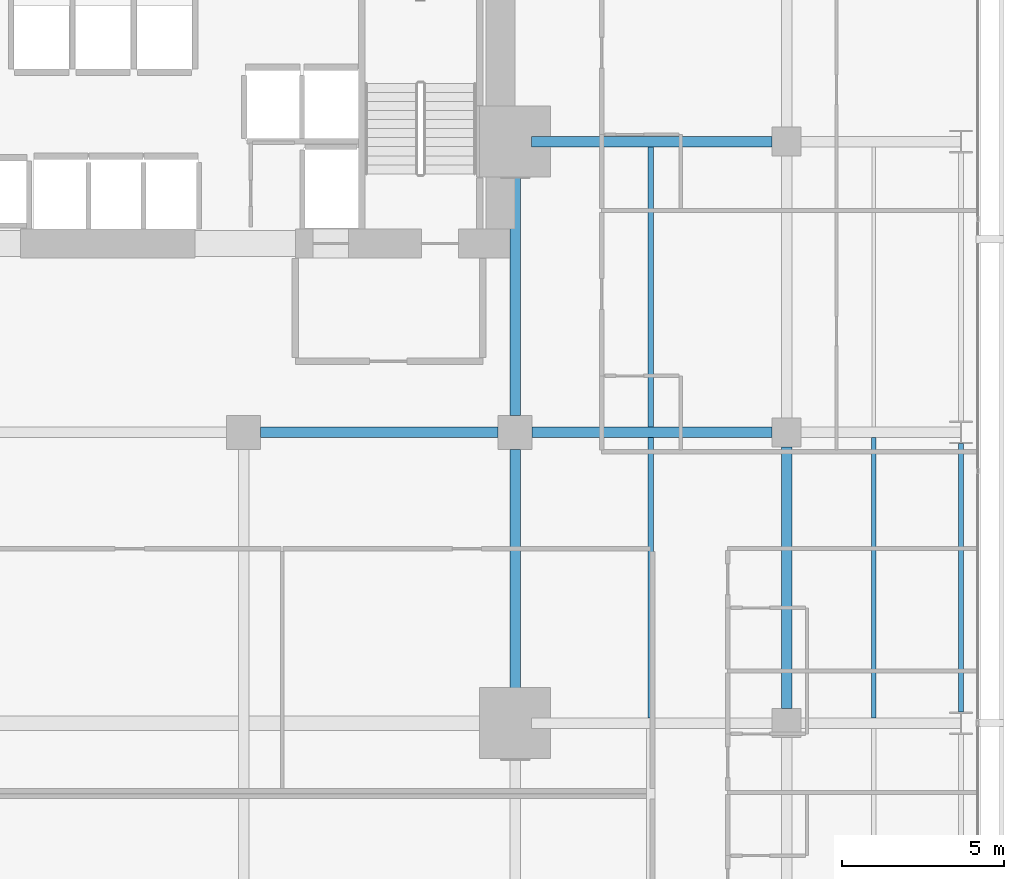
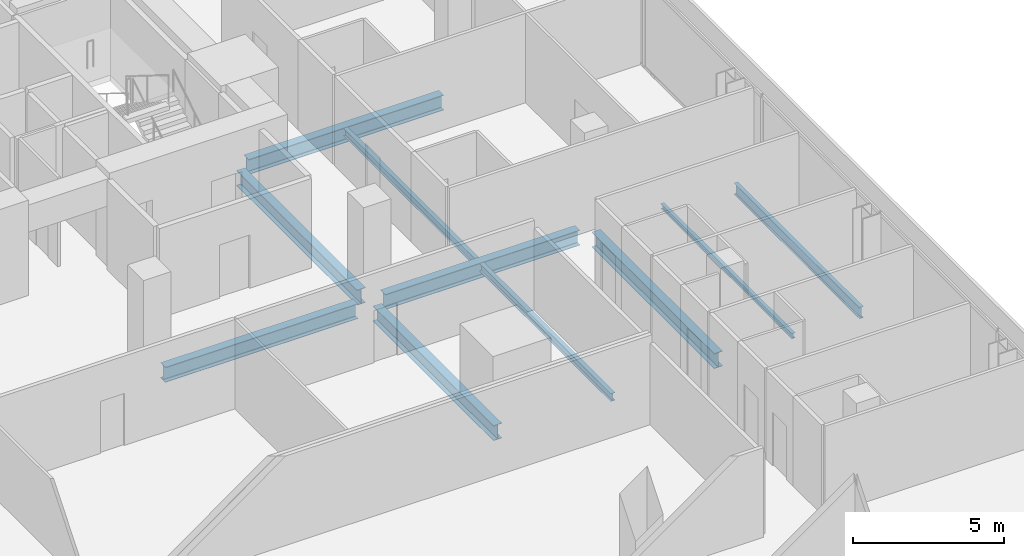
# One storey, part 27 of 40: 10 beams.
"""IFC4 building model written with IfcOpenShell, lengths in metres."""

from ifc_helpers import new_model, si_unit, direction, frame, origin, origin_2d, place, context, subcontext, project, spatial, i_section, extrude, material, material_profile, profile_set, type_object, element, save


model = new_model("IFC4")

# Units and contexts
model_context = context("Model", 3, precision=1e-05, world=origin(), true_north=direction((0.0, 1.0)))
body_context = subcontext(model_context, "Body", "Model", "MODEL_VIEW")
ifc_project = project(units=[si_unit("LENGTHUNIT", "METRE"), si_unit("AREAUNIT", "SQUARE_METRE"), si_unit("VOLUMEUNIT", "CUBIC_METRE"), si_unit("PLANEANGLEUNIT", "RADIAN"), si_unit("MASSUNIT", "GRAM", prefix="KILO")], contexts=[model_context])

# Site, building, storey
site_placement = place(None, origin())
site = spatial("IfcSite", under=ifc_project, at=site_placement, CompositionType="ELEMENT")
building_placement = place(site_placement, origin())
building = spatial("IfcBuilding", under=site, at=building_placement, Name="Maruvema Waterfront Hotel and Observation Tower", CompositionType="ELEMENT")
storey_placement = place(building_placement, frame((0.0, 0.0, 103.949951171875)))
storey = spatial("IfcBuildingStorey", under=building, at=storey_placement, Name="L25", CompositionType="ELEMENT", Elevation=103.949951171875)

# Beams
ifc_material_1 = material(Name="Steel ASTM A572 Grade 50", Category="steel")
ifc_material_profile_1 = material_profile(ifc_material_1, i_section(OverallWidth=0.153076171875, OverallDepth=0.455078125, WebThickness=0.008056640625, FlangeThickness=0.01318359375, FilletRadius=0.014892578125, at=origin_2d()), Name="W460x60.0")
ifc_profile_set_1 = profile_set([ifc_material_profile_1], Name="Steel ASTM A572 Grade 50")
beam_type_1 = type_object("IfcBeamType", Name="Perimeter Spandrel Beam W460x60.0", PredefinedType="SPANDREL", material=ifc_profile_set_1)
beam_1_placement = place(storey_placement, frame((64.199951171875, 27.35009765625, -0.467529296875), z_axis=(0.0, 1.0, 0.0), x_axis=(-1.0, 0.0, 0.0)))
element("IfcBeam", 1, at=beam_1_placement, inside=storey, type_object=beam_type_1, Name="L25 Floor Girder NS-35", PredefinedType="SPANDREL", context=body_context, shape_type="SweptSolid", body=[
    extrude(i_section(OverallWidth=0.153076171875, OverallDepth=0.455078125, WebThickness=0.008056640625, FlangeThickness=0.01318359375, FilletRadius=0.014892578125, at=origin_2d()), origin(), (0.0, 0.0, 1.0), 8.2998046875),
])
ifc_material_2 = material(Name="Steel ASTM A572 Grade 50", Category="steel")
ifc_material_profile_2 = material_profile(ifc_material_2, i_section(OverallWidth=0.323974609375, OverallDepth=0.611083984375, WebThickness=0.0126953125, FlangeThickness=0.01904296875, FilletRadius=0.01806640625, at=origin_2d()), Name="W610x155.0")
ifc_profile_set_2 = profile_set([ifc_material_profile_2], Name="Steel ASTM A572 Grade 50")
beam_type_2 = type_object("IfcBeamType", Name="Primary Floor Girder W610x155.0", PredefinedType="BEAM", material=ifc_profile_set_2)
beam_2_placement = place(storey_placement, frame((42.52490234375, 36.0, -0.54541015625), z_axis=(1.0, 0.0, 0.0), x_axis=(0.0, 1.0, 0.0)))
element("IfcBeam", 2, at=beam_2_placement, inside=storey, type_object=beam_type_2, Name="L25 Floor Girder EW-29", PredefinedType="BEAM", context=body_context, shape_type="SweptSolid", body=[
    extrude(i_section(OverallWidth=0.323974609375, OverallDepth=0.611083984375, WebThickness=0.0126953125, FlangeThickness=0.01904296875, FilletRadius=0.01806640625, at=origin_2d()), origin(), (0.0, 0.0, 1.0), 7.35009765625),
])
beam_3_placement = place(storey_placement, frame((50.925048828125, 36.0, -0.54541015625), z_axis=(1.0, 0.0, 0.0), x_axis=(0.0, 1.0, 0.0)))
element("IfcBeam", 3, at=beam_3_placement, inside=storey, type_object=beam_type_2, Name="L25 Floor Girder EW-30", PredefinedType="BEAM", context=body_context, shape_type="SweptSolid", body=[
    extrude(i_section(OverallWidth=0.323974609375, OverallDepth=0.611083984375, WebThickness=0.0126953125, FlangeThickness=0.01904296875, FilletRadius=0.01806640625, at=origin_2d()), origin(), (0.0, 0.0, 1.0), 7.425048828125),
])
beam_4_placement = place(storey_placement, frame((50.89990234375, 45.0, -0.54541015625), z_axis=(1.0, 0.0, 0.0), x_axis=(0.0, 1.0, 0.0)))
element("IfcBeam", 4, at=beam_4_placement, inside=storey, type_object=beam_type_2, Name="L25 Floor Girder EW-34", PredefinedType="BEAM", context=body_context, shape_type="SweptSolid", body=[
    extrude(i_section(OverallWidth=0.323974609375, OverallDepth=0.611083984375, WebThickness=0.0126953125, FlangeThickness=0.01904296875, FilletRadius=0.01806640625, at=origin_2d()), origin(), (0.0, 0.0, 1.0), 7.4501953125),
])
for number, where, z_axis, x_axis, name in (
    (5, (50.39990234375, 27.5, -0.54541015625), (0.0, 1.0, 0.0), (-1.0, 0.0, 0.0), "L25 Floor Girder NS-25"),
    (6, (50.39990234375, 36.52490234375, -0.54541015625), (0.0, 1.0, 0.0), (-1.0, 0.0, 0.0), "L25 Floor Girder NS-26"),
):
    element("IfcBeam", number, at=place(storey_placement, frame(where, z_axis=z_axis, x_axis=x_axis)), inside=storey, type_object=beam_type_2, Name=name, PredefinedType="BEAM", context=body_context, shape_type="SweptSolid", body=[
        extrude(i_section(OverallWidth=0.323974609375, OverallDepth=0.611083984375, WebThickness=0.0126953125, FlangeThickness=0.01904296875, FilletRadius=0.01806640625, at=origin_2d()), origin(), (0.0, 0.0, 1.0), 7.97509765625),
    ])
beam_5_placement = place(storey_placement, frame((58.800048828125, 27.449951171875, -0.54541015625), z_axis=(0.0, 1.0, 0.0), x_axis=(-1.0, 0.0, 0.0)))
element("IfcBeam", 7, at=beam_5_placement, inside=storey, type_object=beam_type_2, Name="L25 Floor Girder NS-30", PredefinedType="BEAM", context=body_context, shape_type="SweptSolid", body=[
    extrude(i_section(OverallWidth=0.323974609375, OverallDepth=0.611083984375, WebThickness=0.0126953125, FlangeThickness=0.01904296875, FilletRadius=0.01806640625, at=origin_2d()), origin(), (0.0, 0.0, 1.0), 8.10009765625),
])
ifc_material_3 = material(Name="Steel ASTM A572 Grade 50", Category="steel")
ifc_material_profile_3 = material_profile(ifc_material_3, i_section(OverallWidth=0.133056640625, OverallDepth=0.20703125, WebThickness=0.005859375, FlangeThickness=0.00830078125, FilletRadius=0.010009765625, at=origin_2d()), Name="W200x26.6")
ifc_profile_set_3 = profile_set([ifc_material_profile_3], Name="Steel ASTM A572 Grade 50")
beam_type_3 = type_object("IfcBeamType", Name="Secondary Floor Joist W200x26.6", PredefinedType="JOIST", material=ifc_profile_set_3)
beam_6_placement = place(storey_placement, frame((61.5, 27.162109375, -0.343505859375), z_axis=(0.0, 1.0, 0.0), x_axis=(-1.0, 0.0, 0.0)))
element("IfcBeam", 8, at=beam_6_placement, inside=storey, type_object=beam_type_3, Name="L25 Secondary Floor Joist JS-23", PredefinedType="JOIST", context=body_context, shape_type="SweptSolid", body=[
    extrude(i_section(OverallWidth=0.133056640625, OverallDepth=0.20703125, WebThickness=0.005859375, FlangeThickness=0.00830078125, FilletRadius=0.010009765625, at=origin_2d()), origin(), (0.0, 0.0, 1.0), 8.67578125),
])
ifc_material_4 = material(Name="Steel ASTM A572 Grade 50", Category="steel")
ifc_material_profile_4 = material_profile(ifc_material_4, i_section(OverallWidth=0.1650390625, OverallDepth=0.31005859375, WebThickness=0.005859375, FlangeThickness=0.009765625, FilletRadius=0.012939453125, at=origin_2d()), Name="W310x38.7")
ifc_profile_set_4 = profile_set([ifc_material_profile_4], Name="Steel ASTM A572 Grade 50")
beam_type_4 = type_object("IfcBeamType", Name="Secondary Floor Joist W310x38.7", PredefinedType="JOIST", material=ifc_profile_set_4)
beam_7_placement = place(storey_placement, frame((54.60009765625, 36.162109375, -0.39501953125), z_axis=(0.0, 1.0, 0.0), x_axis=(-1.0, 0.0, 0.0)))
element("IfcBeam", 9, at=beam_7_placement, inside=storey, type_object=beam_type_4, Name="L25 Secondary Floor Joist JS-20", PredefinedType="JOIST", context=body_context, shape_type="SweptSolid", body=[
    extrude(i_section(OverallWidth=0.1650390625, OverallDepth=0.31005859375, WebThickness=0.005859375, FlangeThickness=0.009765625, FilletRadius=0.012939453125, at=origin_2d()), origin(), (0.0, 0.0, 1.0), 8.67578125),
])
ifc_material_5 = material(Name="Steel ASTM A572 Grade 50", Category="steel")
ifc_material_profile_5 = material_profile(ifc_material_5, i_section(OverallWidth=0.1669921875, OverallDepth=0.31689453125, WebThickness=0.007568359375, FlangeThickness=0.01318359375, FilletRadius=0.012939453125, at=origin_2d()), Name="W310x52.0")
ifc_profile_set_5 = profile_set([ifc_material_profile_5], Name="Steel ASTM A572 Grade 50")
beam_type_5 = type_object("IfcBeamType", Name="Secondary Floor Joist W310x52.0", PredefinedType="JOIST", material=ifc_profile_set_5)
beam_8_placement = place(storey_placement, frame((54.60009765625, 27.162109375, -0.3984375), z_axis=(0.0, 1.0, 0.0), x_axis=(-1.0, 0.0, 0.0)))
element("IfcBeam", 10, at=beam_8_placement, inside=storey, type_object=beam_type_5, Name="L25 Secondary Floor Joist JS-19", PredefinedType="JOIST", context=body_context, shape_type="SweptSolid", body=[
    extrude(i_section(OverallWidth=0.1669921875, OverallDepth=0.31689453125, WebThickness=0.007568359375, FlangeThickness=0.01318359375, FilletRadius=0.012939453125, at=origin_2d()), origin(), (0.0, 0.0, 1.0), 8.67578125),
])

save(model, "model.ifc")
